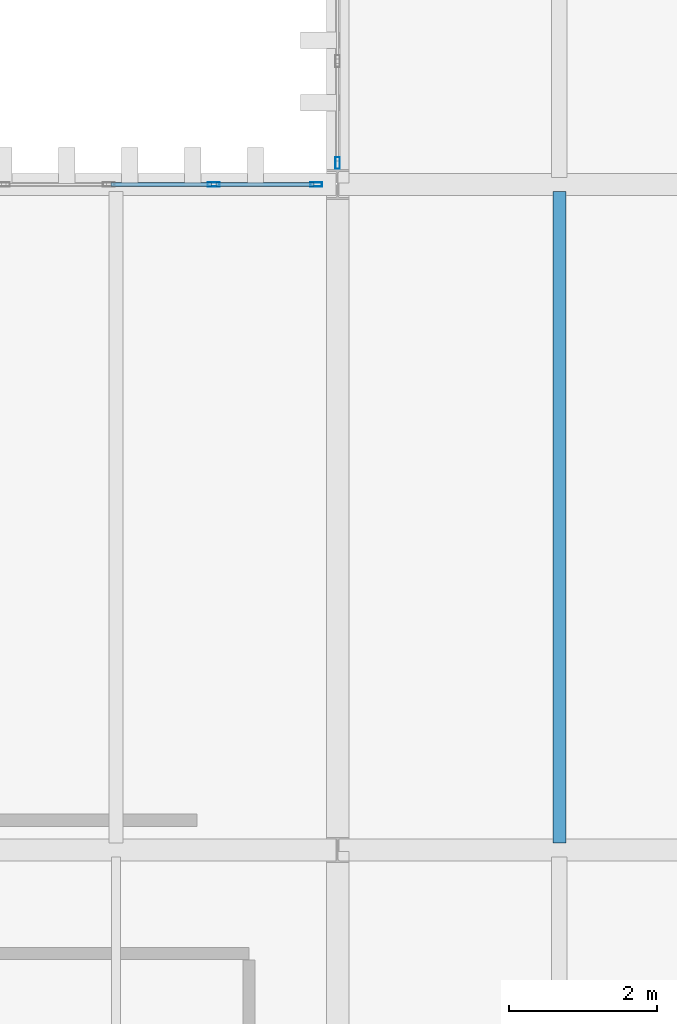
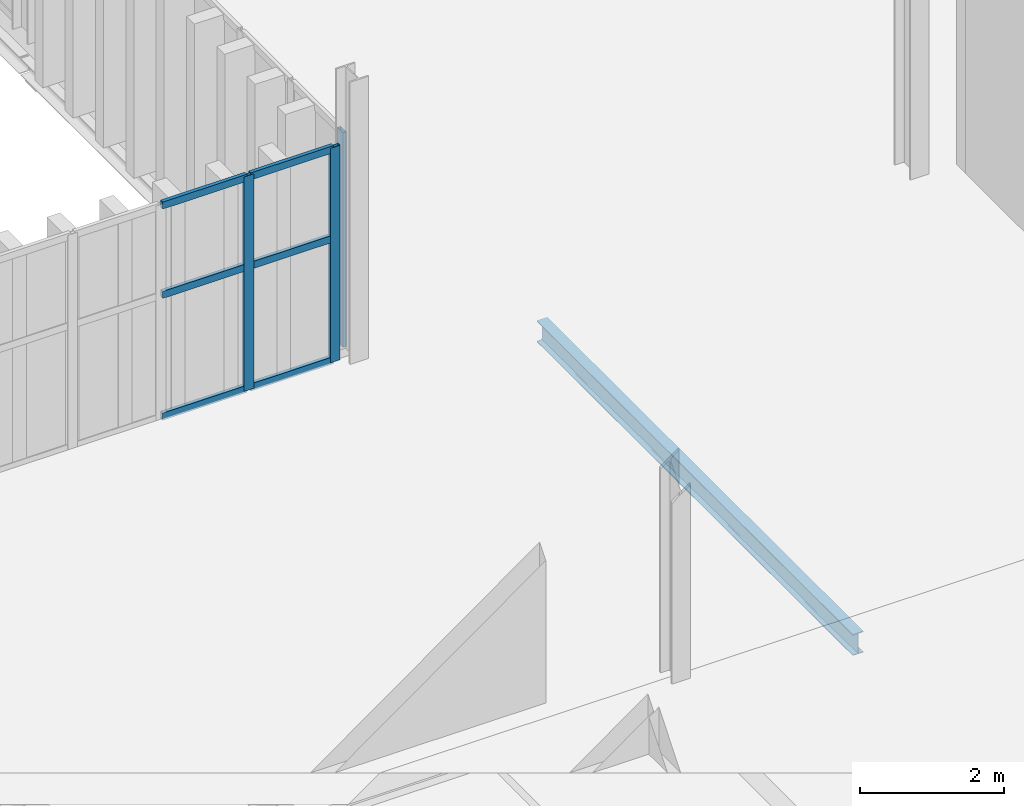
# One storey, part 122 of 196: 9 members, 1 beam, 2 elements without a shape of their own.
"""IFC4 building model written with IfcOpenShell, lengths in metres."""

from ifc_helpers import new_model, si_unit, direction, frame, origin, origin_2d, place, context, subcontext, project, spatial, hollow_rectangle, i_section, extrude, material, layer, layer_set, material_profile, profile_set, type_object, element, aggregate, save


model = new_model("IFC4")

# Units and contexts
model_context = context("Model", 3, precision=1e-05, world=origin(), true_north=direction((0.0, 1.0)))
body_context = subcontext(model_context, "Body", "Model", "MODEL_VIEW")
ifc_project = project(units=[si_unit("LENGTHUNIT", "METRE"), si_unit("AREAUNIT", "SQUARE_METRE"), si_unit("VOLUMEUNIT", "CUBIC_METRE"), si_unit("PLANEANGLEUNIT", "RADIAN"), si_unit("MASSUNIT", "GRAM", prefix="KILO")], contexts=[model_context])

# Site, building, storey
site_placement = place(None, origin())
site = spatial("IfcSite", under=ifc_project, at=site_placement, CompositionType="ELEMENT")
building_placement = place(site_placement, origin())
building = spatial("IfcBuilding", under=site, at=building_placement, Name="Barlavento Convention Centre", CompositionType="ELEMENT")
storey_placement = place(building_placement, frame((0.0, 0.0, 18.0)))
storey = spatial("IfcBuildingStorey", under=building, at=storey_placement, Name="L03", CompositionType="ELEMENT", Elevation=18.0)

# Curtain wall, members
ifc_material_1 = material(Name="Powder-coated aluminium and Low-E glass", Category="aluminium")
ifc_layer = layer(ifc_material_1, 0.179931640625)
ifc_layer_set = layer_set([ifc_layer], Name="ARC-CW-PATIO-B")
curtain_wall_type = type_object("IfcCurtainWallType", Name="ARC-CW-PATIO-B", PredefinedType="NOTDEFINED", material=ifc_layer_set)
curtain_wall_1_placement = place(storey_placement, origin())
curtain_wall_1 = element("IfcCurtainWall", 1, at=curtain_wall_1_placement, inside=storey, type_object=curtain_wall_type, Name="L03 unitised curtain wall CW12", PredefinedType="NOTDEFINED")
ifc_material_2 = material(Name="Powder-coated aluminium", Category="aluminium")
ifc_material_profile_1 = material_profile(ifc_material_2, hollow_rectangle(XDim=0.06005859375, YDim=0.159912109375, WallThickness=0.00390625, at=origin_2d()), Name="AL-MULL 60x160x4")
ifc_profile_set_1 = profile_set([ifc_material_profile_1], Name="Powder-coated aluminium")
member_type_1 = type_object("IfcMemberType", Name="ARC-CWM-60X160", PredefinedType="MULLION", material=ifc_profile_set_1)
member_1_placement = place(storey_placement, frame((169.32177734375, 63.0, 0.0), z_axis=(0.0, 0.0, 1.0), x_axis=(0.0, 1.0, 0.0)))
member_1 = element("IfcMember", 2, at=member_1_placement, type_object=member_type_1, Name="CW12 mullion 6", PredefinedType="MULLION", context=body_context, shape_type="SweptSolid", body=[
    extrude(hollow_rectangle(XDim=0.06005859375, YDim=0.159912109375, WallThickness=0.00390625, at=origin_2d()), origin(), (0.0, 0.0, 1.0), 3.64990234375),
])
member_2_placement = place(storey_placement, frame((170.7099609375, 63.0, 0.0), z_axis=(0.0, 0.0, 1.0), x_axis=(0.0, 1.0, 0.0)))
member_2 = element("IfcMember", 3, at=member_2_placement, type_object=member_type_1, Name="CW12 mullion 7", PredefinedType="MULLION", context=body_context, shape_type="SweptSolid", body=[
    extrude(hollow_rectangle(XDim=0.06005859375, YDim=0.159912109375, WallThickness=0.00390625, at=origin_2d()), origin(), (0.0, 0.0, 1.0), 3.64990234375),
])

# Curtain wall, member
curtain_wall_2_placement = place(storey_placement, origin())
curtain_wall_2 = element("IfcCurtainWall", 4, at=curtain_wall_2_placement, inside=storey, type_object=curtain_wall_type, Name="L03 unitised curtain wall CW12", PredefinedType="NOTDEFINED")
member_3_placement = place(storey_placement, frame((171.0, 63.2900390625, 0.0), z_axis=(0.0, 0.0, 1.0), x_axis=(-1.0, 0.0, 0.0)))
member_3 = element("IfcMember", 5, at=member_3_placement, type_object=member_type_1, Name="CW12 mullion 1", PredefinedType="MULLION", context=body_context, shape_type="SweptSolid", body=[
    extrude(hollow_rectangle(XDim=0.06005859375, YDim=0.159912109375, WallThickness=0.00390625, at=origin_2d()), origin(), (0.0, 0.0, 1.0), 3.64990234375),
])
aggregate(curtain_wall_2, [member_3])

# Member
ifc_material_profile_2 = material_profile(ifc_material_2, hollow_rectangle(XDim=0.06005859375, YDim=0.1201171875, WallThickness=0.00390625, at=origin_2d()), Name="AL-TRAN 60x120x4")
ifc_profile_set_2 = profile_set([ifc_material_profile_2], Name="Powder-coated aluminium")
member_type_2 = type_object("IfcMemberType", Name="ARC-CWT-60X120", PredefinedType="USERDEFINED", material=ifc_profile_set_2)
member_4_placement = place(storey_placement, frame((167.933349609375, 63.0, 0.030029296875), z_axis=(1.0, 0.0, 0.0), x_axis=(0.0, 1.0, 0.0)))
member_4 = element("IfcMember", 6, at=member_4_placement, type_object=member_type_2, Name="CW12 transom 5.1", ObjectType="TRANSOM", PredefinedType="USERDEFINED", context=body_context, shape_type="SweptSolid", body=[
    extrude(hollow_rectangle(XDim=0.06005859375, YDim=0.1201171875, WallThickness=0.00390625, at=origin_2d()), origin(), (0.0, 0.0, 1.0), 1.3583984375),
])

member_5_placement = place(storey_placement, frame((167.933349609375, 63.0, 2.10009765625), z_axis=(1.0, 0.0, 0.0), x_axis=(0.0, 1.0, 0.0)))
member_5 = element("IfcMember", 7, at=member_5_placement, type_object=member_type_2, Name="CW12 transom 5.2", ObjectType="TRANSOM", PredefinedType="USERDEFINED", context=body_context, shape_type="SweptSolid", body=[
    extrude(hollow_rectangle(XDim=0.06005859375, YDim=0.1201171875, WallThickness=0.00390625, at=origin_2d()), origin(), (0.0, 0.0, 1.0), 1.3583984375),
])

member_6_placement = place(storey_placement, frame((167.933349609375, 63.0, 3.6201171875), z_axis=(1.0, 0.0, 0.0), x_axis=(0.0, 1.0, 0.0)))
member_6 = element("IfcMember", 8, at=member_6_placement, type_object=member_type_2, Name="CW12 transom 5.3", ObjectType="TRANSOM", PredefinedType="USERDEFINED", context=body_context, shape_type="SweptSolid", body=[
    extrude(hollow_rectangle(XDim=0.06005859375, YDim=0.1201171875, WallThickness=0.00390625, at=origin_2d()), origin(), (0.0, 0.0, 1.0), 1.3583984375),
])

member_7_placement = place(storey_placement, frame((169.3515625, 63.0, 0.030029296875), z_axis=(1.0, 0.0, 0.0), x_axis=(0.0, 1.0, 0.0)))
member_7 = element("IfcMember", 9, at=member_7_placement, type_object=member_type_2, Name="CW12 transom 6.1", ObjectType="TRANSOM", PredefinedType="USERDEFINED", context=body_context, shape_type="SweptSolid", body=[
    extrude(hollow_rectangle(XDim=0.06005859375, YDim=0.1201171875, WallThickness=0.00390625, at=origin_2d()), origin(), (0.0, 0.0, 1.0), 1.328369140625),
])

member_8_placement = place(storey_placement, frame((169.3515625, 63.0, 2.10009765625), z_axis=(1.0, 0.0, 0.0), x_axis=(0.0, 1.0, 0.0)))
member_8 = element("IfcMember", 10, at=member_8_placement, type_object=member_type_2, Name="CW12 transom 6.2", ObjectType="TRANSOM", PredefinedType="USERDEFINED", context=body_context, shape_type="SweptSolid", body=[
    extrude(hollow_rectangle(XDim=0.06005859375, YDim=0.1201171875, WallThickness=0.00390625, at=origin_2d()), origin(), (0.0, 0.0, 1.0), 1.328369140625),
])

member_9_placement = place(storey_placement, frame((169.3515625, 63.0, 3.6201171875), z_axis=(1.0, 0.0, 0.0), x_axis=(0.0, 1.0, 0.0)))
member_9 = element("IfcMember", 11, at=member_9_placement, type_object=member_type_2, Name="CW12 transom 6.3", ObjectType="TRANSOM", PredefinedType="USERDEFINED", context=body_context, shape_type="SweptSolid", body=[
    extrude(hollow_rectangle(XDim=0.06005859375, YDim=0.1201171875, WallThickness=0.00390625, at=origin_2d()), origin(), (0.0, 0.0, 1.0), 1.328369140625),
])

aggregate(curtain_wall_1, [member_1, member_2, member_4, member_5, member_6, member_7, member_8, member_9])

# Beam
ifc_material_3 = material(Name="Steel S355", Category="steel")
ifc_material_profile_3 = material_profile(ifc_material_3, i_section(OverallWidth=0.169921875, OverallDepth=0.360107421875, WebThickness=0.008056640625, FlangeThickness=0.0126953125, FilletRadius=0.01806640625, at=origin_2d()), Name="IPE 360")
ifc_profile_set_3 = profile_set([ifc_material_profile_3], Name="Steel S355")
beam_type = type_object("IfcBeamType", Name="STR-BM-JST-IPE360", PredefinedType="JOIST", material=ifc_profile_set_3)
beam_placement = place(storey_placement, frame((174.0, 54.094970703125, -0.570068359375), z_axis=(0.0, 1.0, 0.0), x_axis=(-1.0, 0.0, 0.0)))
element("IfcBeam", 12, at=beam_placement, inside=storey, type_object=beam_type, Name="L03 composite floor joist SJ05", PredefinedType="JOIST", context=body_context, shape_type="SweptSolid", body=[
    extrude(i_section(OverallWidth=0.169921875, OverallDepth=0.360107421875, WebThickness=0.008056640625, FlangeThickness=0.0126953125, FilletRadius=0.01806640625, at=origin_2d()), origin(), (0.0, 0.0, 1.0), 8.81005859375),
])

save(model, "model.ifc")
